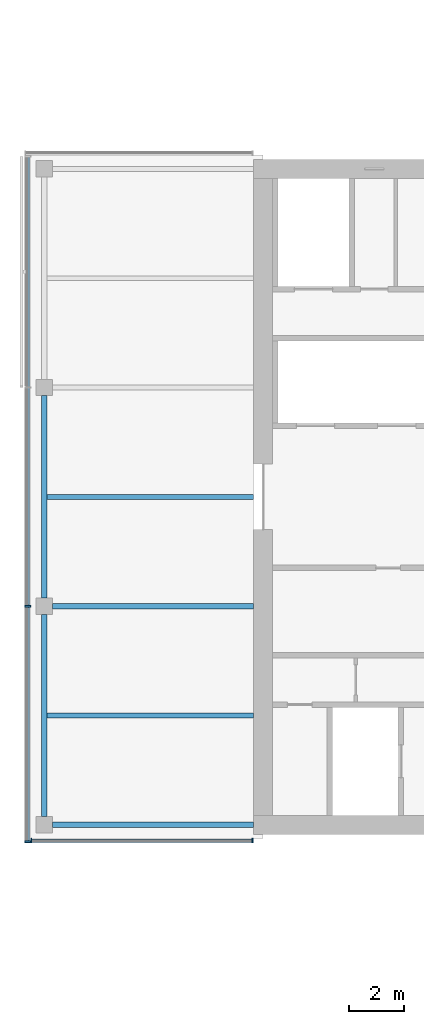
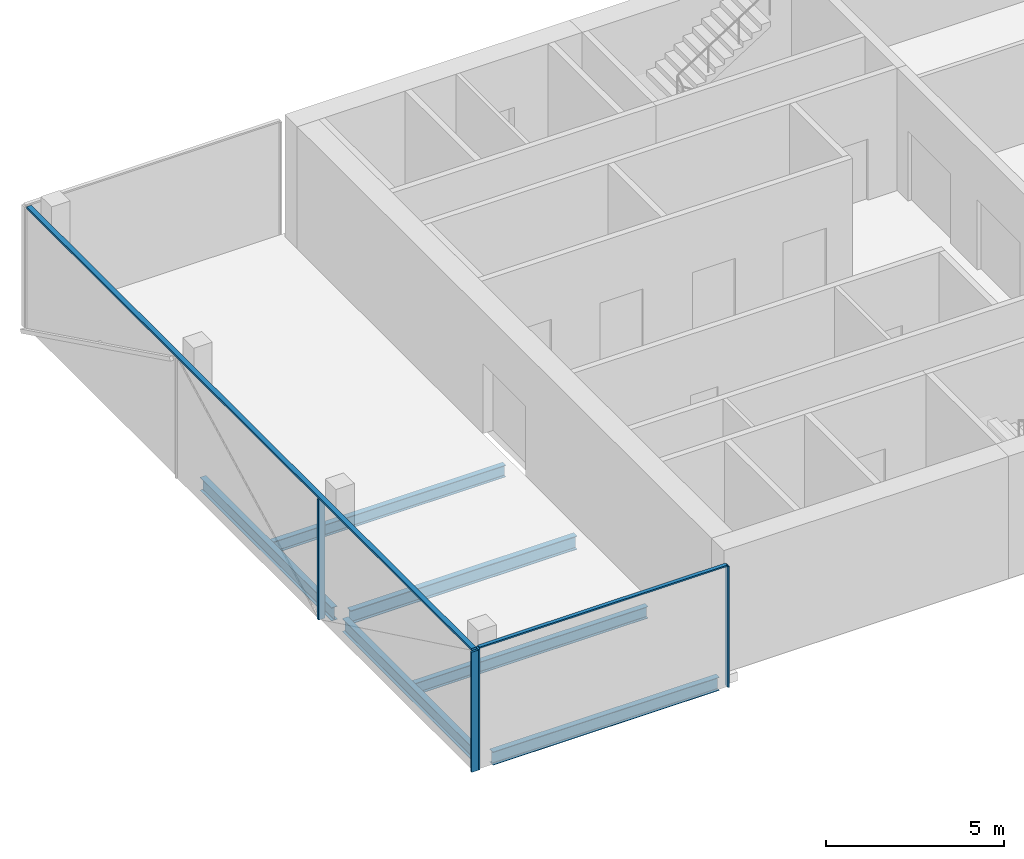
# One storey, part 3 of 22: 6 beams, 6 members, 2 elements without a shape of their own.
"""IFC4 building model written with IfcOpenShell, lengths in metres."""

from ifc_helpers import new_model, si_unit, direction, frame, origin, origin_2d, place, context, subcontext, project, spatial, rectangle, i_section, extrude, material, material_profile, profile_set, type_object, element, aggregate, save


model = new_model("IFC4")

# Units and contexts
model_context = context("Model", 3, precision=1e-05, world=origin(), true_north=direction((0.0, 1.0)))
body_context = subcontext(model_context, "Body", "Model", "MODEL_VIEW")
ifc_project = project(units=[si_unit("LENGTHUNIT", "METRE"), si_unit("AREAUNIT", "SQUARE_METRE"), si_unit("VOLUMEUNIT", "CUBIC_METRE"), si_unit("PLANEANGLEUNIT", "RADIAN"), si_unit("MASSUNIT", "GRAM", prefix="KILO")], contexts=[model_context])

# Site, building, storey
site_placement = place(None, origin())
site = spatial("IfcSite", under=ifc_project, at=site_placement, CompositionType="ELEMENT")
building_placement = place(site_placement, origin())
building = spatial("IfcBuilding", under=site, at=building_placement, Name="Crosswind Convention Tower", CompositionType="ELEMENT")
storey_placement = place(building_placement, frame((0.0, 0.0, 133.699951171875)))
storey = spatial("IfcBuildingStorey", under=building, at=storey_placement, Name="L27", CompositionType="ELEMENT", Elevation=133.699951171875)

# Beams
ifc_material_1 = material(Name="Steel S355", Category="steel")
ifc_material_profile_1 = material_profile(ifc_material_1, i_section(OverallWidth=0.18994140625, OverallDepth=0.45361328125, WebThickness=0.008544921875, FlangeThickness=0.0126953125, FilletRadius=0.01025390625, at=origin_2d()), Name="UB 457x191x67")
ifc_profile_set_1 = profile_set([ifc_material_profile_1], Name="Steel S355")
beam_type_1 = type_object("IfcBeamType", Name="Edge beam UB 457x191x67", PredefinedType="SPANDREL", material=ifc_profile_set_1)
for number, where, z_axis, x_axis, name in (
    (1, (89.0, 88.300048828125, -0.52685546875), (0.0, 1.0, 0.0), (-1.0, 0.0, 0.0), "B16 L27 edge beam 1"),
    (2, (89.0, 96.300048828125, -0.52685546875), (0.0, 1.0, 0.0), (-1.0, 0.0, 0.0), "B16 L27 edge beam 2"),
):
    element("IfcBeam", number, at=place(storey_placement, frame(where, z_axis=z_axis, x_axis=x_axis)), inside=storey, type_object=beam_type_1, Name=name, PredefinedType="SPANDREL", context=body_context, shape_type="SweptSolid", body=[
        extrude(i_section(OverallWidth=0.18994140625, OverallDepth=0.45361328125, WebThickness=0.008544921875, FlangeThickness=0.0126953125, FilletRadius=0.01025390625, at=origin_2d()), origin(), (0.0, 0.0, 1.0), 7.39990234375),
    ])
beam_1_placement = place(storey_placement, frame((89.300048828125, 88.0, -0.52685546875), z_axis=(1.0, 0.0, 0.0), x_axis=(0.0, 1.0, 0.0)))
element("IfcBeam", 3, at=beam_1_placement, inside=storey, type_object=beam_type_1, Name="B16 L27 edge beam 4", PredefinedType="SPANDREL", context=body_context, shape_type="SweptSolid", body=[
    extrude(i_section(OverallWidth=0.18994140625, OverallDepth=0.45361328125, WebThickness=0.008544921875, FlangeThickness=0.0126953125, FilletRadius=0.01025390625, at=origin_2d()), origin(), (0.0, 0.0, 1.0), 7.349853515625),
])
ifc_material_profile_2 = material_profile(ifc_material_1, i_section(OverallWidth=0.19189453125, OverallDepth=0.463623046875, WebThickness=0.010498046875, FlangeThickness=0.017578125, FilletRadius=0.01025390625, at=origin_2d()), Name="UB 457x191x90")
ifc_profile_set_2 = profile_set([ifc_material_profile_2], Name="Steel S355")
beam_type_2 = type_object("IfcBeamType", Name="Girder at core wall UB 457x191x90", PredefinedType="BEAM", material=ifc_profile_set_2)
beam_2_placement = place(storey_placement, frame((89.300048828125, 96.0, -0.53173828125), z_axis=(1.0, 0.0, 0.0), x_axis=(0.0, 1.0, 0.0)))
element("IfcBeam", 4, at=beam_2_placement, inside=storey, type_object=beam_type_2, Name="B24 L27 girder at core wall 1", PredefinedType="BEAM", context=body_context, shape_type="SweptSolid", body=[
    extrude(i_section(OverallWidth=0.19189453125, OverallDepth=0.463623046875, WebThickness=0.010498046875, FlangeThickness=0.017578125, FilletRadius=0.01025390625, at=origin_2d()), origin(), (0.0, 0.0, 1.0), 7.349853515625),
])

# Curtain wall, members
ifc_material_2 = material(Name="Aluminium unitised curtain wall", Category="aluminium")
curtain_wall_type_1 = type_object("IfcCurtainWallType", Name="CORE END SLOT WALL 160", PredefinedType="USERDEFINED", material=ifc_material_2)
curtain_wall_1_placement = place(storey_placement, origin())
curtain_wall_1 = element("IfcCurtainWall", 5, at=curtain_wall_1_placement, inside=storey, type_object=curtain_wall_type_1, Name="CW6 L27 W-S.1-1 slot", ObjectType="UNITISED", PredefinedType="USERDEFINED")
ifc_material_3 = material(Name="Aluminium mullion", Category="aluminium")
ifc_material_profile_3 = material_profile(ifc_material_3, rectangle(XDim=0.159912109375, YDim=0.050048828125, at=origin_2d()), Name="AL 160X50")
ifc_profile_set_3 = profile_set([ifc_material_profile_3], Name="Aluminium mullion")
member_type_1 = type_object("IfcMemberType", Name="MULLION 50X160", PredefinedType="MULLION", material=ifc_profile_set_3)
member_1_placement = place(storey_placement, frame((88.52490234375, 87.419921875, -0.300048828125), z_axis=(0.0, 0.0, 1.0), x_axis=(0.0, -1.0, 0.0)))
member_1 = element("IfcMember", 6, at=member_1_placement, type_object=member_type_1, Name="CW6 mullion 1", PredefinedType="MULLION", context=body_context, shape_type="SweptSolid", body=[
    extrude(rectangle(XDim=0.159912109375, YDim=0.050048828125, at=origin_2d()), origin(), (0.0, 0.0, 1.0), 4.150146484375),
])
member_2_placement = place(storey_placement, frame((96.625, 87.419921875, -0.300048828125), z_axis=(0.0, 0.0, 1.0), x_axis=(0.0, -1.0, 0.0)))
member_2 = element("IfcMember", 7, at=member_2_placement, type_object=member_type_1, Name="CW6 mullion 2", PredefinedType="MULLION", context=body_context, shape_type="SweptSolid", body=[
    extrude(rectangle(XDim=0.159912109375, YDim=0.050048828125, at=origin_2d()), origin(), (0.0, 0.0, 1.0), 4.150146484375),
])

curtain_wall_type_2 = type_object("IfcCurtainWallType", Name="OFFICE UNITISED WALL 220", PredefinedType="USERDEFINED", material=ifc_material_2)
curtain_wall_2_placement = place(storey_placement, origin())
curtain_wall_2 = element("IfcCurtainWall", 8, at=curtain_wall_2_placement, inside=storey, type_object=curtain_wall_type_2, Name="CW3 L27 W-TIP 1", ObjectType="UNITISED", PredefinedType="USERDEFINED")
ifc_material_profile_4 = material_profile(ifc_material_3, rectangle(XDim=0.219970703125, YDim=0.070068359375, at=origin_2d()), Name="AL 220X70")
ifc_profile_set_4 = profile_set([ifc_material_profile_4], Name="Aluminium mullion")
member_type_2 = type_object("IfcMemberType", Name="MULLION 70X220", PredefinedType="MULLION", material=ifc_profile_set_4)
member_3_placement = place(storey_placement, frame((88.389892578125, 96.0, -0.300048828125), z_axis=(0.0, 0.0, 1.0), x_axis=(-1.0, 0.0, 0.0)))
member_3 = element("IfcMember", 9, at=member_3_placement, type_object=member_type_2, Name="CW3 mullion 3", PredefinedType="MULLION", context=body_context, shape_type="SweptSolid", body=[
    extrude(rectangle(XDim=0.219970703125, YDim=0.070068359375, at=origin_2d()), origin(), (0.0, 0.0, 1.0), 4.130126953125),
])
member_4_placement = place(storey_placement, frame((88.389892578125, 87.375, -0.300048828125), z_axis=(0.0, 0.0, 1.0), x_axis=(-1.0, 0.0, 0.0)))
member_4 = element("IfcMember", 10, at=member_4_placement, type_object=member_type_2, Name="CW3 mullion 4", PredefinedType="MULLION", context=body_context, shape_type="SweptSolid", body=[
    extrude(rectangle(XDim=0.219970703125, YDim=0.070068359375, at=origin_2d()), origin(), (0.0, 0.0, 1.0), 4.130126953125),
])

# Beams
ifc_material_profile_5 = material_profile(ifc_material_1, i_section(OverallWidth=0.177734375, OverallDepth=0.406494140625, WebThickness=0.0078125, FlangeThickness=0.0126953125, FilletRadius=0.01025390625, at=origin_2d()), Name="UB 406x178x60")
ifc_profile_set_5 = profile_set([ifc_material_profile_5], Name="Steel S355")
beam_type_3 = type_object("IfcBeamType", Name="Secondary beam UB 406x178x60", PredefinedType="JOIST", material=ifc_profile_set_5)
for number, where, z_axis, x_axis, name in (
    (11, (89.094970703125, 92.0, -0.503173828125), (1.0, 0.0, 0.0), (0.0, 1.0, 0.0), "B10 L27 secondary beam 1"),
    (12, (89.094970703125, 100.0, -0.503173828125), (1.0, 0.0, 0.0), (0.0, 1.0, 0.0), "B10 L27 secondary beam 2"),
):
    element("IfcBeam", number, at=place(storey_placement, frame(where, z_axis=z_axis, x_axis=x_axis)), inside=storey, type_object=beam_type_3, Name=name, PredefinedType="JOIST", context=body_context, shape_type="SweptSolid", body=[
        extrude(i_section(OverallWidth=0.177734375, OverallDepth=0.406494140625, WebThickness=0.0078125, FlangeThickness=0.0126953125, FilletRadius=0.01025390625, at=origin_2d()), origin(), (0.0, 0.0, 1.0), 7.554931640625),
    ])

# Member
ifc_material_4 = material(Name="Aluminium transom", Category="aluminium")
ifc_material_profile_6 = material_profile(ifc_material_4, rectangle(XDim=0.1201171875, YDim=0.050048828125, at=origin_2d()), Name="AL 120X50")
ifc_profile_set_6 = profile_set([ifc_material_profile_6], Name="Aluminium transom")
member_type_3 = type_object("IfcMemberType", Name="TRANSOM 50X120", PredefinedType="USERDEFINED", material=ifc_profile_set_6)
member_5_placement = place(storey_placement, frame((88.550048828125, 87.419921875, 3.875), z_axis=(1.0, 0.0, 0.0), x_axis=(0.0, 1.0, 0.0)))
member_5 = element("IfcMember", 13, at=member_5_placement, type_object=member_type_3, Name="CW6 transom", ObjectType="TRANSOM", PredefinedType="USERDEFINED", context=body_context, shape_type="SweptSolid", body=[
    extrude(rectangle(XDim=0.1201171875, YDim=0.050048828125, at=origin_2d()), origin(), (0.0, 0.0, 1.0), 8.050048828125),
])

aggregate(curtain_wall_1, [member_1, member_2, member_5])

ifc_material_profile_7 = material_profile(ifc_material_4, rectangle(XDim=0.159912109375, YDim=0.070068359375, at=origin_2d()), Name="AL 160X70")
ifc_profile_set_7 = profile_set([ifc_material_profile_7], Name="Aluminium transom")
member_type_4 = type_object("IfcMemberType", Name="TRANSOM 70X160", PredefinedType="USERDEFINED", material=ifc_profile_set_7)
member_6_placement = place(storey_placement, frame((88.389892578125, 112.429931640625, 3.864990234375), z_axis=(0.0, -1.0, 0.0), x_axis=(1.0, 0.0, 0.0)))
member_6 = element("IfcMember", 14, at=member_6_placement, type_object=member_type_4, Name="CW3 transom", ObjectType="TRANSOM", PredefinedType="USERDEFINED", context=body_context, shape_type="SweptSolid", body=[
    extrude(rectangle(XDim=0.159912109375, YDim=0.070068359375, at=origin_2d()), origin(), (0.0, 0.0, 1.0), 25.02001953125),
])

aggregate(curtain_wall_2, [member_3, member_4, member_6])

save(model, "model.ifc")
